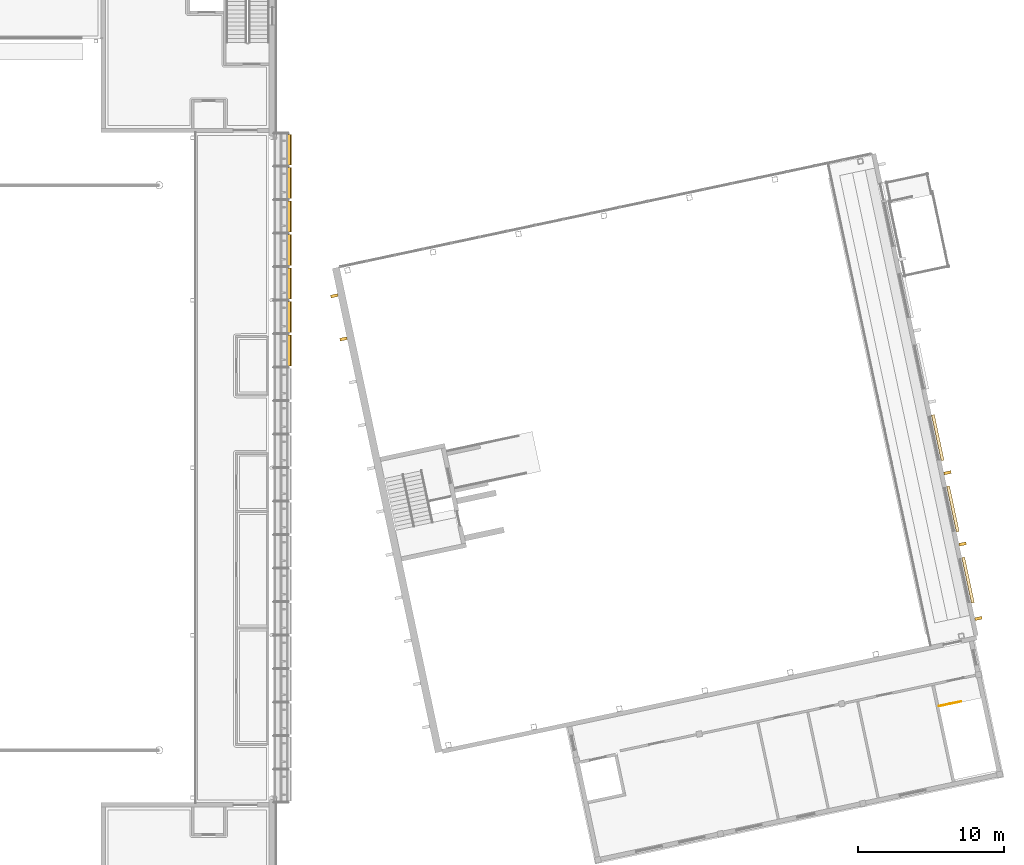
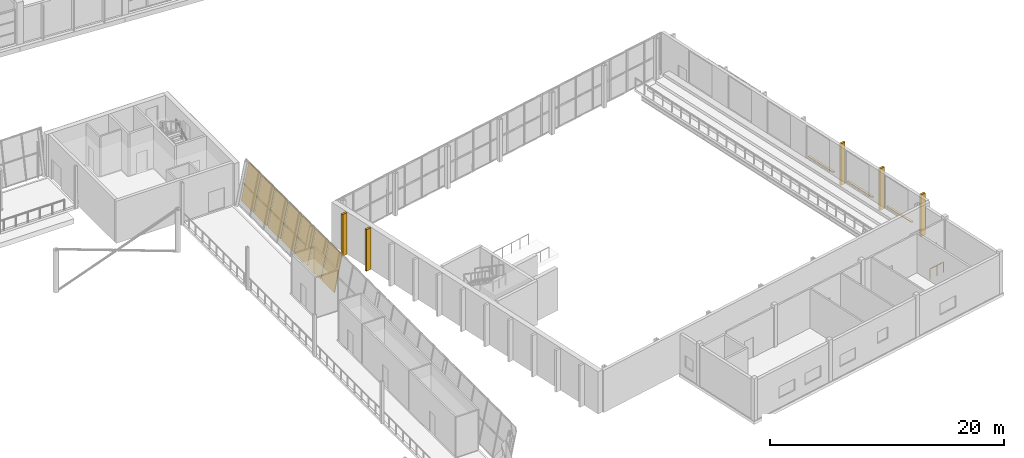
# One storey, part 110 of 115: 12 shading devices, 3 coverings, 1 railing.
"""IFC4 building model written with IfcOpenShell, lengths in metres."""

from ifc_helpers import new_model, si_unit, direction, frame, origin, origin_2d, place, context, subcontext, project, spatial, polyline, circle, outline, extrude, material, layer, layer_set, type_object, element, save


model = new_model("IFC4")

# Units and contexts
model_context = context("Model", 3, precision=1e-05, world=origin(), true_north=direction((0.0, 1.0)))
body_context = subcontext(model_context, "Body", "Model", "MODEL_VIEW")
ifc_project = project(units=[si_unit("LENGTHUNIT", "METRE"), si_unit("AREAUNIT", "SQUARE_METRE"), si_unit("VOLUMEUNIT", "CUBIC_METRE"), si_unit("PLANEANGLEUNIT", "RADIAN"), si_unit("MASSUNIT", "GRAM", prefix="KILO")], contexts=[model_context])

# Site, building, storey
site_placement = place(None, origin())
site = spatial("IfcSite", under=ifc_project, at=site_placement, CompositionType="ELEMENT")
building_placement = place(site_placement, origin())
building = spatial("IfcBuilding", under=site, at=building_placement, Name="Windward Yard Aquatics Centre", CompositionType="ELEMENT")
storey_placement = place(building_placement, frame((0.0, 0.0, 5.0)))
storey = spatial("IfcBuildingStorey", under=building, at=storey_placement, Name="L01", CompositionType="ELEMENT", Elevation=5.0)

# Railing
ifc_material_1 = material(Name="Stainless steel 1.4529", Category="steel")
railing_type = type_object("IfcRailingType", Name="D Annex stair stair guard", PredefinedType="GUARDRAIL", material=ifc_material_1)
railing_placement = place(storey_placement, frame((197.537841796875, 44.632568359375, 0.0)))
element("IfcRailing", 1, at=railing_placement, inside=storey, type_object=railing_type, Name="L01 D-ST1 top well guard 1", PredefinedType="GUARDRAIL", context=body_context, shape_type="SweptSolid", body=[
    extrude(circle(Radius=0.02392578125, at=origin_2d()), frame((0.0, 0.0, 1.076171875), z_axis=(0.978146839882, 0.207915270313, 0.0), x_axis=(-0.207915270313, 0.978146839882, 0.0)), (0.0, 0.0, 1.0), 1.550048828125),
    extrude(circle(Radius=0.02099609375, at=origin_2d()), origin(), (0.0, 0.0, 1.0), 1.052001953125),
    extrude(circle(Radius=0.02099609375, at=origin_2d()), frame((0.758056640625, 0.1611328125, 0.0)), (0.0, 0.0, 1.0), 1.052001953125),
    extrude(circle(Radius=0.02099609375, at=origin_2d()), frame((1.51611328125, 0.322265625, 0.0)), (0.0, 0.0, 1.0), 1.052001953125),
])

# Shading devices
ifc_material_2 = material(Name="Aluminium fin, powder coated", Category="aluminium")
shading_device_type_1 = type_object("IfcShadingDeviceType", Name="D vertical fin 200x500", PredefinedType="USERDEFINED", material=ifc_material_2)
shading_device_1_placement = place(storey_placement, origin())
element("IfcShadingDevice", 2, at=shading_device_1_placement, inside=storey, type_object=shading_device_type_1, Name="Vertical fin D.W.E.L01.1.1", ObjectType="FIN", PredefinedType="USERDEFINED", context=body_context, shape_type="SweptSolid", body=[
    extrude(outline(polyline([(199.97998046875, 50.697998046875), (200.46923828125, 50.802001953125), (200.5107421875, 50.606201171875), (200.021728515625, 50.502197265625), (199.97998046875, 50.697998046875)])), origin(), (0.0, 0.0, 1.0), 4.35009765625),
])
shading_device_2_placement = place(storey_placement, origin())
element("IfcShadingDevice", 3, at=shading_device_2_placement, inside=storey, type_object=shading_device_type_1, Name="Vertical fin D.W.E.L01.2.1", ObjectType="FIN", PredefinedType="USERDEFINED", context=body_context, shape_type="SweptSolid", body=[
    extrude(outline(polyline([(198.893798828125, 55.80859375), (199.3828125, 55.91259765625), (199.42431640625, 55.717041015625), (198.935302734375, 55.613037109375), (198.893798828125, 55.80859375)])), origin(), (0.0, 0.0, 1.0), 4.35009765625),
])
shading_device_3_placement = place(storey_placement, origin())
element("IfcShadingDevice", 4, at=shading_device_3_placement, inside=storey, type_object=shading_device_type_1, Name="Vertical fin D.W.E.L01.3.1", ObjectType="FIN", PredefinedType="USERDEFINED", context=body_context, shape_type="SweptSolid", body=[
    extrude(outline(polyline([(197.854248046875, 60.699462890625), (198.34326171875, 60.803466796875), (198.385009765625, 60.60791015625), (197.895751953125, 60.50390625), (197.854248046875, 60.699462890625)])), origin(), (0.0, 0.0, 1.0), 4.35009765625),
])
shading_device_4_placement = place(storey_placement, origin())
element("IfcShadingDevice", 5, at=shading_device_4_placement, inside=storey, type_object=shading_device_type_1, Name="Vertical fin D.W.W.L01.1.10", ObjectType="FIN", PredefinedType="USERDEFINED", context=body_context, shape_type="SweptSolid", body=[
    extrude(outline(polyline([(156.3876953125, 69.887939453125), (156.42919921875, 69.6923828125), (156.918212890625, 69.79638671875), (156.876708984375, 69.991943359375), (156.3876953125, 69.887939453125)])), origin(), (0.0, 0.0, 1.0), 4.35009765625),
])
shading_device_5_placement = place(storey_placement, origin())
element("IfcShadingDevice", 6, at=shading_device_5_placement, inside=storey, type_object=shading_device_type_1, Name="Vertical fin D.W.W.L01.1.11", ObjectType="FIN", PredefinedType="USERDEFINED", context=body_context, shape_type="SweptSolid", body=[
    extrude(outline(polyline([(155.75830078125, 72.84912109375), (155.7998046875, 72.653564453125), (156.288818359375, 72.757568359375), (156.247314453125, 72.953125), (155.75830078125, 72.84912109375)])), origin(), (0.0, 0.0, 1.0), 4.35009765625),
])

# Coverings
ifc_material_3 = material(Name="Limestone sill", Category="masonry")
ifc_layer_1 = layer(ifc_material_3, 0.080078125)
ifc_layer_set_1 = layer_set([ifc_layer_1], Name="D window sill stone 3200x200")
covering_type = type_object("IfcCoveringType", Name="D window sill stone 3200x200", PredefinedType="CLADDING", material=ifc_layer_set_1)
covering_1_placement = place(storey_placement, frame((0.0, 0.0, 0.820068359375)))
element("IfcCovering", 7, at=covering_1_placement, inside=storey, type_object=covering_type, Name="Window sill DW1001", PredefinedType="CLADDING", context=body_context, shape_type="SweptSolid", body=[
    extrude(outline(polyline([(199.101806640625, 54.83056640625), (199.29736328125, 54.872314453125), (199.962646484375, 51.7421875), (199.76708984375, 51.700439453125), (199.101806640625, 54.83056640625)])), origin(), (0.0, 0.0, 1.0), 0.079833984375),
])
covering_2_placement = place(storey_placement, frame((0.0, 0.0, 0.820068359375)))
element("IfcCovering", 8, at=covering_2_placement, inside=storey, type_object=covering_type, Name="Window sill DW1002", PredefinedType="CLADDING", context=body_context, shape_type="SweptSolid", body=[
    extrude(outline(polyline([(198.06201171875, 59.72119140625), (198.2578125, 59.762939453125), (198.923095703125, 56.6328125), (198.7275390625, 56.59130859375), (198.06201171875, 59.72119140625)])), origin(), (0.0, 0.0, 1.0), 0.079833984375),
])
covering_3_placement = place(storey_placement, frame((0.0, 0.0, 0.820068359375)))
element("IfcCovering", 9, at=covering_3_placement, inside=storey, type_object=covering_type, Name="Window sill DW1003", PredefinedType="CLADDING", context=body_context, shape_type="SweptSolid", body=[
    extrude(outline(polyline([(197.022705078125, 64.612060546875), (197.21826171875, 64.653564453125), (197.883544921875, 61.523681640625), (197.68798828125, 61.48193359375), (197.022705078125, 64.612060546875)])), origin(), (0.0, 0.0, 1.0), 0.079833984375),
])

# Shading devices
ifc_material_4 = material(Name="Aluminium extruded louvre blades, powder coated", Category="aluminium")
ifc_layer_2 = layer(ifc_material_4, 0.080078125)
ifc_layer_set_2 = layer_set([ifc_layer_2], Name="H storm louvre shutter 2103x3790")
shading_device_type_2 = type_object("IfcShadingDeviceType", Name="H storm louvre shutter 2103x3790", PredefinedType="SHUTTER", material=ifc_layer_set_2)
for number, where, z_axis, x_axis, name in (
    (10, (152.2548828125, 67.982421875, 0.28662109375), (-0.979926212575, 0.0, 0.199360522443), (0.0, 1.0, 0.0), "Storm louvre E L01 A14"),
    (11, (152.2548828125, 70.282470703125, 0.28662109375), (-0.979926212575, 0.0, 0.199360522443), (0.0, 1.0, 0.0), "Storm louvre E L01 A15"),
    (12, (152.2548828125, 72.58251953125, 0.28662109375), (-0.979926212575, 0.0, 0.199360522443), (0.0, 1.0, 0.0), "Storm louvre E L01 A16"),
    (13, (152.2548828125, 74.882568359375, 0.28662109375), (-0.979926212575, 0.0, 0.199360522443), (0.0, 1.0, 0.0), "Storm louvre E L01 A17"),
):
    element("IfcShadingDevice", number, at=place(storey_placement, frame(where, z_axis=z_axis, x_axis=x_axis)), inside=storey, type_object=shading_device_type_2, Name=name, PredefinedType="SHUTTER", context=body_context, shape_type="SweptSolid", body=[
        extrude(outline(polyline([(0.0, 0.0), (2.13501, 0.0), (2.13501, -3.790195), (0.0, -3.790195), (0.0, 0.0)])), origin(), (0.0, 0.0, -1.0), 0.080078125),
    ])
shading_device_6_placement = place(storey_placement, frame((152.2548828125, 77.1826171875, 0.28662109375), z_axis=(-0.979926212575, 0.0, 0.199360522443), x_axis=(0.0, 1.0, 0.0)))
element("IfcShadingDevice", 14, at=shading_device_6_placement, inside=storey, type_object=shading_device_type_2, Name="Storm louvre E L01 A18", PredefinedType="SHUTTER", context=body_context, shape_type="SweptSolid", body=[
    extrude(outline(polyline([(0.0, 0.0), (2.134766, 0.0), (2.134766, -3.790195), (0.0, -3.790195), (0.0, 0.0)])), origin(), (0.0, 0.0, -1.0), 0.080078125),
])
shading_device_7_placement = place(storey_placement, frame((152.2548828125, 79.482421875, 0.28662109375), z_axis=(-0.979926212575, 0.0, 0.199360522443), x_axis=(0.0, 1.0, 0.0)))
element("IfcShadingDevice", 15, at=shading_device_7_placement, inside=storey, type_object=shading_device_type_2, Name="Storm louvre E L01 A19", PredefinedType="SHUTTER", context=body_context, shape_type="SweptSolid", body=[
    extrude(outline(polyline([(0.0, 0.0), (2.13501, 0.0), (2.13501, -3.790195), (0.0, -3.790195), (0.0, 0.0)])), origin(), (0.0, 0.0, -1.0), 0.080078125),
])
shading_device_8_placement = place(storey_placement, frame((152.2548828125, 81.782470703125, 0.28662109375), z_axis=(-0.979926212575, 0.0, 0.199360522443), x_axis=(0.0, 1.0, 0.0)))
element("IfcShadingDevice", 16, at=shading_device_8_placement, inside=storey, type_object=shading_device_type_2, Name="Storm louvre E L01 A20", PredefinedType="SHUTTER", context=body_context, shape_type="SweptSolid", body=[
    extrude(outline(polyline([(0.0, 0.0), (2.102539, 0.0), (2.102539, -3.790195), (0.0, -3.790195), (0.0, 0.0)])), origin(), (0.0, 0.0, -1.0), 0.080078125),
])

save(model, "model.ifc")
